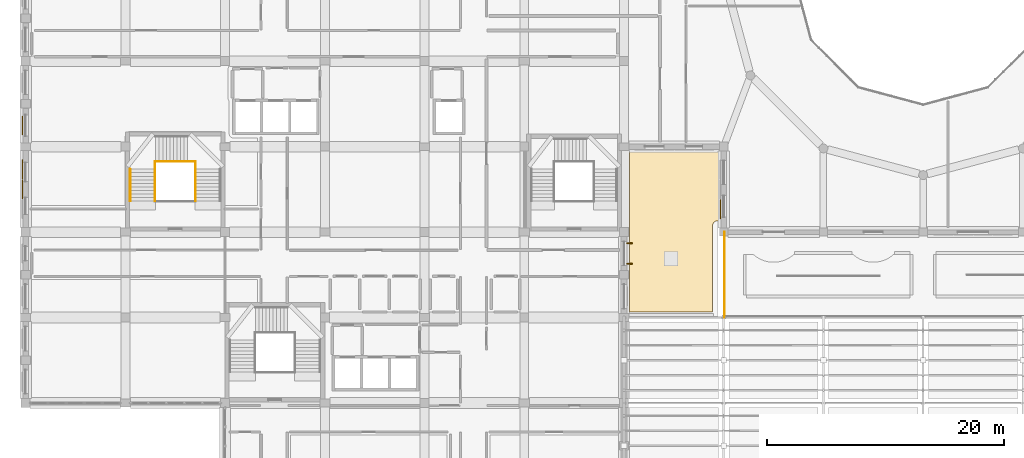
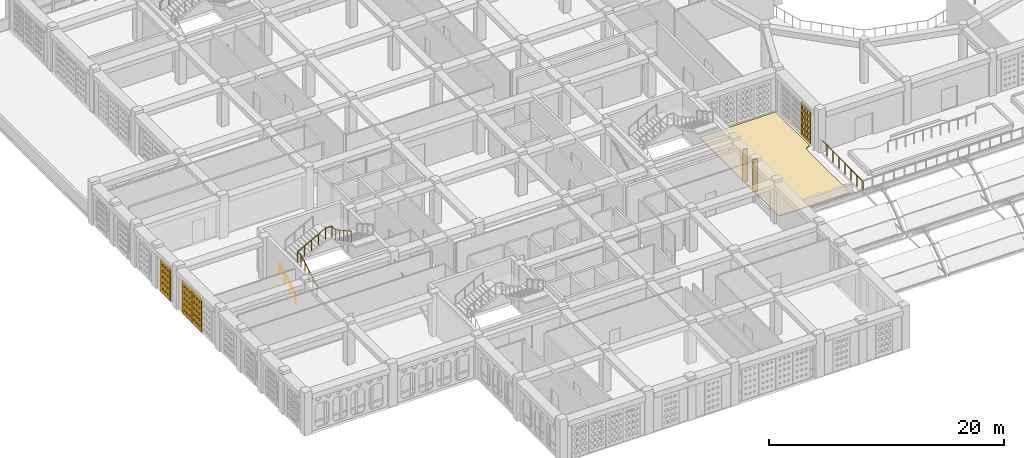
# One storey, part 72 of 100: 5 coverings, 5 railings, 2 shading devices.
"""IFC4 building model written with IfcOpenShell, lengths in metres."""

from ifc_helpers import new_model, si_unit, derived_unit, direction, frame, origin, origin_2d, place, context, subcontext, project, spatial, polyline, rectangle, circle, outline, extrude, material, layer, layer_set, type_object, element, save


model = new_model("IFC4")

# Units and contexts
model_context = context("Model", 3, precision=1e-05, world=origin(), true_north=direction((0.0, 1.0)))
body_context = subcontext(model_context, "Body", "Model", "MODEL_VIEW")
ifc_project = project(units=[si_unit("LENGTHUNIT", "METRE"), si_unit("AREAUNIT", "SQUARE_METRE"), si_unit("VOLUMEUNIT", "CUBIC_METRE"), si_unit("PLANEANGLEUNIT", "RADIAN"), si_unit("MASSUNIT", "GRAM", prefix="KILO"), derived_unit("THERMALTRANSMITTANCEUNIT", [(si_unit("POWERUNIT", "WATT"), 1), (si_unit("LENGTHUNIT", "METRE"), -2), (si_unit("THERMODYNAMICTEMPERATUREUNIT", "KELVIN"), -1)])], contexts=[model_context])

# Site, building, storey
site_placement = place(None, origin())
site = spatial("IfcSite", under=ifc_project, at=site_placement, CompositionType="ELEMENT")
building_placement = place(site_placement, origin())
building = spatial("IfcBuilding", under=site, at=building_placement, Name="Veybourne Emporium", CompositionType="ELEMENT")
storey_placement = place(building_placement, frame((0.0, 0.0, 14.39990234375)))
storey = spatial("IfcBuildingStorey", under=building, at=storey_placement, Name="L03", CompositionType="ELEMENT", Elevation=14.39990234375)

# Railings
ifc_material_1 = material(Name="Brushed Stainless Steel", Category="steel")
railing_type_1 = type_object("IfcRailingType", Name="Guard_GR-01", PredefinedType="GUARDRAIL", material=ifc_material_1)
railing_1_placement = place(storey_placement, frame((10.909912109375, 31.39990234375, 0.0)))
element("IfcRailing", 1, at=railing_1_placement, inside=storey, type_object=railing_type_1, Name="L03 ST-02 stair guard 1", PredefinedType="GUARDRAIL", context=body_context, shape_type="SweptSolid", body=[
    extrude(circle(Radius=0.02392578125, at=origin_2d()), frame((0.0, 0.0, 1.1259765625), z_axis=(0.0, 0.874172188743, 0.48561608749), x_axis=(-1.0, 0.0, 0.0)), (0.0, 0.0, 1.0), 3.0888671875),
    extrude(circle(Radius=0.02392578125, at=origin_2d()), frame((0.0, 2.7001953125, 2.6259765625), z_axis=(0.0, 1.0, 0.0), x_axis=(-1.0, 0.0, 0.0)), (0.0, 0.0, 1.0), 0.639892578125),
    extrude(circle(Radius=0.02099609375, at=origin_2d()), origin(), (0.0, 0.0, 1.0), 1.101806640625),
    extrude(circle(Radius=0.02099609375, at=origin_2d()), frame((0.0, 0.675048828125, 0.375)), (0.0, 0.0, 1.0), 1.101806640625),
    extrude(circle(Radius=0.02099609375, at=origin_2d()), frame((0.0, 1.35009765625, 0.75)), (0.0, 0.0, 1.0), 1.101806640625),
    extrude(circle(Radius=0.02099609375, at=origin_2d()), frame((0.0, 2.025146484375, 1.125)), (0.0, 0.0, 1.0), 1.101806640625),
    extrude(circle(Radius=0.02099609375, at=origin_2d()), frame((0.0, 2.7001953125, 1.5)), (0.0, 0.0, 1.0), 1.101806640625),
    extrude(circle(Radius=0.02099609375, at=origin_2d()), frame((0.0, 3.340087890625, 1.5)), (0.0, 0.0, 1.0), 1.101806640625),
])
railing_2_placement = place(storey_placement, frame((10.909912109375, 34.739990234375, 1.5)))
element("IfcRailing", 2, at=railing_2_placement, inside=storey, type_object=railing_type_1, Name="L03 ST-02 stair guard 2", PredefinedType="GUARDRAIL", context=body_context, shape_type="SweptSolid", body=[
    extrude(circle(Radius=0.02392578125, at=origin_2d()), frame((0.0, 0.0, 1.1259765625), z_axis=(0.87715976088, 0.0, 0.480198660861), x_axis=(0.0, 1.0, 0.0)), (0.0, 0.0, 1.0), 3.123779296875),
    extrude(circle(Radius=0.02392578125, at=origin_2d()), frame((2.739990234375, 0.0, 2.6259765625), z_axis=(1.0, 0.0, 0.0), x_axis=(0.0, 1.0, 0.0)), (0.0, 0.0, 1.0), 0.64013671875),
    extrude(circle(Radius=0.02099609375, at=origin_2d()), origin(), (0.0, 0.0, 1.0), 1.101806640625),
    extrude(circle(Radius=0.02099609375, at=origin_2d()), frame((0.68505859375, 0.0, 0.375)), (0.0, 0.0, 1.0), 1.101806640625),
    extrude(circle(Radius=0.02099609375, at=origin_2d()), frame((1.3701171875, 0.0, 0.75)), (0.0, 0.0, 1.0), 1.101806640625),
    extrude(circle(Radius=0.02099609375, at=origin_2d()), frame((2.054931640625, 0.0, 1.125)), (0.0, 0.0, 1.0), 1.101806640625),
    extrude(circle(Radius=0.02099609375, at=origin_2d()), frame((2.739990234375, 0.0, 1.5)), (0.0, 0.0, 1.0), 1.101806640625),
    extrude(circle(Radius=0.02099609375, at=origin_2d()), frame((3.380126953125, 0.0, 1.5)), (0.0, 0.0, 1.0), 1.101806640625),
])
railing_3_placement = place(storey_placement, frame((14.2900390625, 34.739990234375, 3.0)))
element("IfcRailing", 3, at=railing_3_placement, inside=storey, type_object=railing_type_1, Name="L03 ST-02 stair guard 3", PredefinedType="GUARDRAIL", context=body_context, shape_type="SweptSolid", body=[
    extrude(circle(Radius=0.02392578125, at=origin_2d()), frame((0.0, 0.0, 1.1259765625), z_axis=(0.0, -1.0, 0.0), x_axis=(1.0, 0.0, 0.0)), (0.0, 0.0, 1.0), 0.639892578125),
    extrude(circle(Radius=0.02392578125, at=origin_2d()), frame((0.0, -0.639892578125, 1.1259765625), z_axis=(0.0, -0.874172188743, 0.48561608749), x_axis=(1.0, 0.0, 0.0)), (0.0, 0.0, 1.0), 3.0888671875),
    extrude(circle(Radius=0.02099609375, at=origin_2d()), origin(), (0.0, 0.0, 1.0), 1.101806640625),
    extrude(circle(Radius=0.02099609375, at=origin_2d()), frame((0.0, -0.639892578125, 0.0)), (0.0, 0.0, 1.0), 1.101806640625),
    extrude(circle(Radius=0.02099609375, at=origin_2d()), frame((0.0, -1.31494140625, 0.375)), (0.0, 0.0, 1.0), 1.101806640625),
    extrude(circle(Radius=0.02099609375, at=origin_2d()), frame((0.0, -1.989990234375, 0.75)), (0.0, 0.0, 1.0), 1.101806640625),
    extrude(circle(Radius=0.02099609375, at=origin_2d()), frame((0.0, -2.6650390625, 1.125)), (0.0, 0.0, 1.0), 1.101806640625),
    extrude(circle(Radius=0.02099609375, at=origin_2d()), frame((0.0, -3.340087890625, 1.5)), (0.0, 0.0, 1.0), 1.101806640625),
])
ifc_material_2 = material(Name="Patinated Architectural Bronze", Category="bronze")
railing_type_2 = type_object("IfcRailingType", Name="Guard_GR-02", PredefinedType="GUARDRAIL", material=ifc_material_2)
railing_4_placement = place(storey_placement, frame((58.8798828125, 21.60009765625, 0.0)))
element("IfcRailing", 4, at=railing_4_placement, inside=storey, type_object=railing_type_2, Name="L03 terrace perimeter guardrail 002", PredefinedType="GUARDRAIL", context=body_context, shape_type="SweptSolid", body=[
    extrude(circle(Radius=0.02392578125, at=origin_2d()), frame((0.0, 0.0, 1.1259765625), z_axis=(0.0, 1.0, 0.0), x_axis=(-1.0, 0.0, 0.0)), (0.0, 0.0, 1.0), 7.199951171875),
    extrude(circle(Radius=0.02099609375, at=origin_2d()), origin(), (0.0, 0.0, 1.0), 1.101806640625),
    extrude(circle(Radius=0.02099609375, at=origin_2d()), frame((0.0, 1.028564453125, 0.0)), (0.0, 0.0, 1.0), 1.101806640625),
    extrude(circle(Radius=0.02099609375, at=origin_2d()), frame((0.0, 2.05712890625, 0.0)), (0.0, 0.0, 1.0), 1.101806640625),
    extrude(circle(Radius=0.02099609375, at=origin_2d()), frame((0.0, 3.085693359375, 0.0)), (0.0, 0.0, 1.0), 1.101806640625),
    extrude(circle(Radius=0.02099609375, at=origin_2d()), frame((0.0, 4.1142578125, 0.0)), (0.0, 0.0, 1.0), 1.101806640625),
    extrude(circle(Radius=0.02099609375, at=origin_2d()), frame((0.0, 5.142822265625, 0.0)), (0.0, 0.0, 1.0), 1.101806640625),
    extrude(circle(Radius=0.02099609375, at=origin_2d()), frame((0.0, 6.17138671875, 0.0)), (0.0, 0.0, 1.0), 1.101806640625),
    extrude(circle(Radius=0.02099609375, at=origin_2d()), frame((0.0, 7.199951171875, 0.0)), (0.0, 0.0, 1.0), 1.101806640625),
])
railing_type_3 = type_object("IfcRailingType", Name="Handrail_HR-01", PredefinedType="HANDRAIL", material=ifc_material_1)
railing_5_placement = place(storey_placement, frame((8.81005859375, 31.39990234375, 0.150146484375)))
element("IfcRailing", 5, at=railing_5_placement, inside=storey, type_object=railing_type_3, Name="L03 ST-02 pitch handrail 1", PredefinedType="HANDRAIL", context=body_context, shape_type="SweptSolid", body=[
    extrude(circle(Radius=0.02392578125, at=origin_2d()), frame((0.0, 0.0, 0.92578125), z_axis=(0.0, 0.874172188743, 0.48561608749), x_axis=(-1.0, 0.0, 0.0)), (0.0, 0.0, 1.0), 3.0888671875),
    extrude(circle(Radius=0.02099609375, at=origin_2d()), frame((0.0, 0.0, -0.14990234375)), (0.0, 0.0, 1.0), 1.0517578125),
    extrude(circle(Radius=0.02099609375, at=origin_2d()), frame((0.0, 0.900146484375, 0.35009765625)), (0.0, 0.0, 1.0), 1.0517578125),
    extrude(circle(Radius=0.02099609375, at=origin_2d()), frame((0.0, 1.800048828125, 0.85009765625)), (0.0, 0.0, 1.0), 1.0517578125),
    extrude(circle(Radius=0.02099609375, at=origin_2d()), frame((0.0, 2.7001953125, 1.35009765625)), (0.0, 0.0, 1.0), 1.0517578125),
])

# Covering
ifc_material_3 = material(Name="Single-Ply Warm Roof Membrane", Category="membrane")
ifc_layer_1 = layer(ifc_material_3, 0.06005859375)
ifc_layer_set_1 = layer_set([ifc_layer_1], Name="Single-Ply Warm Roof Membrane")
covering_type_1 = type_object("IfcCoveringType", Name="Roofing_RFG-01", PredefinedType="ROOFING", material=ifc_layer_set_1)
covering_1_placement = place(storey_placement, origin())
element("IfcCovering", 6, at=covering_1_placement, inside=storey, type_object=covering_type_1, Name="L03 warm-roof waterproofing membrane 1.1", PredefinedType="ROOFING", context=body_context, shape_type="SweptSolid", body=[
    extrude(outline(polyline([(58.35009765625, 29.75), (58.300048828125, 29.75), (58.255859375, 29.747802734375), (58.212158203125, 29.741455078125), (58.16943359375, 29.730712890625), (58.127685546875, 29.7158203125), (58.087890625, 29.69677734375), (58.050048828125, 29.674072265625), (58.014404296875, 29.64794921875), (57.981689453125, 29.6181640625), (57.9521484375, 29.58544921875), (57.92578125, 29.550048828125), (57.903076171875, 29.51220703125), (57.88427734375, 29.47216796875), (57.869384765625, 29.4306640625), (57.858642578125, 29.3876953125), (57.85205078125, 29.343994140625), (57.85009765625, 29.300048828125), (57.85009765625, 22.050048828125), (50.85009765625, 22.050048828125), (50.85009765625, 35.550048828125), (58.35009765625, 35.550048828125), (58.35009765625, 29.75)])), origin(), (0.0, 0.0, 1.0), 0.06005859375),
])

# Shading devices
shading_device_type = type_object("IfcShadingDeviceType", Name="SolarFin_FIN-02", PredefinedType="USERDEFINED", material=ifc_material_2)
for number, where, z_axis, x_axis, name in (
    (7, (50.864013671875, 27.85400390625, 0.125244140625), (0.0, 0.0, 1.0), (0.0, -1.0, 0.0), "L03 bronze brise-soleil fin FIN-02 (29A.1)"),
    (8, (50.864013671875, 26.14111328125, 0.125244140625), (0.0, 0.0, 1.0), (0.0, -1.0, 0.0), "L03 bronze brise-soleil fin FIN-02 (29A.2)"),
):
    element("IfcShadingDevice", number, at=place(storey_placement, frame(where, z_axis=z_axis, x_axis=x_axis)), inside=storey, type_object=shading_device_type, Name=name, ObjectType="FIN", PredefinedType="USERDEFINED", context=body_context, shape_type="SweptSolid", body=[
        extrude(rectangle(XDim=0.074951171875, YDim=0.449951171875, at=origin_2d()), origin(), (0.0, 0.0, 1.0), 3.3798828125),
    ])

# Coverings
ifc_material_4 = material(Name="Warm-White Perforated Aluminium Screen Alloy", Category="aluminium")
ifc_layer_2 = layer(ifc_material_4, 0.06005859375)
ifc_layer_set_2 = layer_set([ifc_layer_2], Name="Warm-White Perforated Aluminium Screen Alloy")
covering_type_2 = type_object("IfcCoveringType", Name="WaveScreen_SCR-02", PredefinedType="CLADDING", material=ifc_layer_set_2)
covering_2_placement = place(storey_placement, frame((-0.298095703125, 32.425048828125, 1.815185546875), z_axis=(1.0, 0.0, 0.0), x_axis=(0.0, 1.0, 0.0)))
element("IfcCovering", 9, at=covering_2_placement, inside=storey, type_object=covering_type_2, Name="L03 wave-perforated aluminium screen SCR-02 (4.2)", PredefinedType="CLADDING", context=body_context, shape_type="SweptSolid", body=[
    extrude(outline(polyline([(-0.81982421875, -1.7548828125), (0.81982421875, -1.7548828125), (0.81982421875, 1.7548828125), (-0.81982421875, 1.7548828125), (-0.81982421875, -1.7548828125)]), holes=[polyline([(-0.433349609375, -1.07373046875), (-0.297119140625, -1.172607421875), (-0.297119140625, -1.283447265625), (-0.433349609375, -1.38232421875), (-0.569580078125, -1.283447265625), (-0.569580078125, -1.172607421875), (-0.433349609375, -1.07373046875)]), polyline([(-0.433349609375, -0.4716796875), (-0.306884765625, -0.562744140625), (-0.306884765625, -0.665283203125), (-0.433349609375, -0.75634765625), (-0.559814453125, -0.665283203125), (-0.559814453125, -0.562744140625), (-0.433349609375, -0.4716796875)]), polyline([(-0.433349609375, 0.1318359375), (-0.3154296875, 0.047607421875), (-0.3154296875, -0.047607421875), (-0.433349609375, -0.1318359375), (-0.55126953125, -0.047607421875), (-0.55126953125, 0.047607421875), (-0.433349609375, 0.1318359375)]), polyline([(-0.433349609375, 0.7373046875), (-0.322509765625, 0.658203125), (-0.322509765625, 0.569580078125), (-0.433349609375, 0.49072265625), (-0.544189453125, 0.569580078125), (-0.544189453125, 0.658203125), (-0.433349609375, 0.7373046875)]), polyline([(-0.433349609375, 1.344482421875), (-0.327880859375, 1.27001953125), (-0.327880859375, 1.18603515625), (-0.433349609375, 1.111328125), (-0.538818359375, 1.18603515625), (-0.538818359375, 1.27001953125), (-0.433349609375, 1.344482421875)]), polyline([(0.0, -1.079345703125), (0.131591796875, -1.174560546875), (0.131591796875, -1.281494140625), (0.0, -1.376708984375), (-0.131591796875, -1.281494140625), (-0.131591796875, -1.174560546875), (0.0, -1.079345703125)]), polyline([(0.0, -0.4765625), (0.122314453125, -0.564453125), (0.122314453125, -0.66357421875), (0.0, -0.75146484375), (-0.122314453125, -0.66357421875), (-0.122314453125, -0.564453125), (0.0, -0.4765625)]), polyline([(0.0, 0.127685546875), (0.114501953125, 0.0458984375), (0.114501953125, -0.0458984375), (0.0, -0.127685546875), (-0.114501953125, -0.0458984375), (-0.114501953125, 0.0458984375), (0.0, 0.127685546875)]), polyline([(0.0, 0.73388671875), (0.108154296875, 0.6572265625), (0.108154296875, 0.57080078125), (0.0, 0.494140625), (-0.108154296875, 0.57080078125), (-0.108154296875, 0.6572265625), (0.0, 0.73388671875)]), polyline([(0.0, 1.34228515625), (0.103515625, 1.26904296875), (0.103515625, 1.18701171875), (0.0, 1.11376953125), (-0.103515625, 1.18701171875), (-0.103515625, 1.26904296875), (0.0, 1.34228515625)]), polyline([(0.433349609375, -1.084716796875), (0.560546875, -1.176513671875), (0.560546875, -1.279541015625), (0.433349609375, -1.371337890625), (0.305908203125, -1.279541015625), (0.305908203125, -1.176513671875), (0.433349609375, -1.084716796875)]), polyline([(0.433349609375, -0.481201171875), (0.552001953125, -0.566162109375), (0.552001953125, -0.661865234375), (0.433349609375, -0.746826171875), (0.314697265625, -0.661865234375), (0.314697265625, -0.566162109375), (0.433349609375, -0.481201171875)]), polyline([(0.433349609375, 0.123779296875), (0.544677734375, 0.044677734375), (0.544677734375, -0.044677734375), (0.433349609375, -0.123779296875), (0.322021484375, -0.044677734375), (0.322021484375, 0.044677734375), (0.433349609375, 0.123779296875)]), polyline([(0.433349609375, 0.731201171875), (0.5390625, 0.656005859375), (0.5390625, 0.572021484375), (0.433349609375, 0.496826171875), (0.327392578125, 0.572021484375), (0.327392578125, 0.656005859375), (0.433349609375, 0.731201171875)]), polyline([(0.433349609375, 1.340576171875), (0.535400390625, 1.2685546875), (0.535400390625, 1.1875), (0.433349609375, 1.115478515625), (0.331298828125, 1.1875), (0.331298828125, 1.2685546875), (0.433349609375, 1.340576171875)])]), origin(), (0.0, 0.0, 1.0), 0.06005859375),
])
covering_3_placement = place(storey_placement, frame((-0.298095703125, 37.777587890625, 1.815185546875), z_axis=(1.0, 0.0, 0.0), x_axis=(0.0, 1.0, 0.0)))
element("IfcCovering", 10, at=covering_3_placement, inside=storey, type_object=covering_type_2, Name="L03 wave-perforated aluminium screen SCR-02 (5A.1)", PredefinedType="CLADDING", context=body_context, shape_type="SweptSolid", body=[
    extrude(outline(polyline([(-0.81982421875, -1.7548828125), (0.81982421875, -1.7548828125), (0.81982421875, 1.7548828125), (-0.81982421875, 1.7548828125), (-0.81982421875, -1.7548828125)]), holes=[polyline([(-0.433349609375, -1.117431640625), (-0.332763671875, -1.188232421875), (-0.332763671875, -1.267822265625), (-0.433349609375, -1.338623046875), (-0.533935546875, -1.267822265625), (-0.533935546875, -1.188232421875), (-0.433349609375, -1.117431640625)]), polyline([(-0.433349609375, -0.50390625), (-0.333251953125, -0.574462890625), (-0.333251953125, -0.653564453125), (-0.433349609375, -0.72412109375), (-0.533447265625, -0.653564453125), (-0.533447265625, -0.574462890625), (-0.433349609375, -0.50390625)]), polyline([(-0.433349609375, 0.112060546875), (-0.331787109375, 0.040283203125), (-0.331787109375, -0.040283203125), (-0.433349609375, -0.112060546875), (-0.534912109375, -0.040283203125), (-0.534912109375, 0.040283203125), (-0.433349609375, 0.112060546875)]), polyline([(-0.433349609375, 0.730224609375), (-0.328369140625, 0.65576171875), (-0.328369140625, 0.572265625), (-0.433349609375, 0.497802734375), (-0.538330078125, 0.572265625), (-0.538330078125, 0.65576171875), (-0.433349609375, 0.730224609375)]), polyline([(-0.433349609375, 1.3505859375), (-0.322998046875, 1.272216796875), (-0.322998046875, 1.183837890625), (-0.433349609375, 1.105224609375), (-0.543701171875, 1.183837890625), (-0.543701171875, 1.272216796875), (-0.433349609375, 1.3505859375)]), polyline([(0.0, -1.117919921875), (0.10009765625, -1.1884765625), (0.10009765625, -1.267578125), (0.0, -1.338134765625), (-0.10009765625, -1.267578125), (-0.10009765625, -1.1884765625), (0.0, -1.117919921875)]), polyline([(0.0, -0.50341796875), (0.1005859375, -0.57421875), (0.1005859375, -0.65380859375), (0.0, -0.724609375), (-0.1005859375, -0.65380859375), (-0.1005859375, -0.57421875), (0.0, -0.50341796875)]), polyline([(0.0, 0.113525390625), (0.102783203125, 0.041015625), (0.102783203125, -0.041015625), (0.0, -0.113525390625), (-0.102783203125, -0.041015625), (-0.102783203125, 0.041015625), (0.0, 0.113525390625)]), polyline([(0.0, 0.73291015625), (0.107421875, 0.65673828125), (0.107421875, 0.5712890625), (0.0, 0.4951171875), (-0.107421875, 0.5712890625), (-0.107421875, 0.65673828125), (0.0, 0.73291015625)]), polyline([(0.0, 1.354248046875), (0.11328125, 1.2734375), (0.11328125, 1.1826171875), (0.0, 1.101806640625), (-0.11328125, 1.1826171875), (-0.11328125, 1.2734375), (0.0, 1.354248046875)]), polyline([(0.433349609375, -1.117919921875), (0.533447265625, -1.1884765625), (0.533447265625, -1.267578125), (0.433349609375, -1.337890625), (0.333251953125, -1.267578125), (0.333251953125, -1.1884765625), (0.433349609375, -1.117919921875)]), polyline([(0.433349609375, -0.502197265625), (0.53466796875, -0.57373046875), (0.53466796875, -0.654296875), (0.433349609375, -0.7255859375), (0.33203125, -0.654296875), (0.33203125, -0.57373046875), (0.433349609375, -0.502197265625)]), polyline([(0.433349609375, 0.11572265625), (0.5380859375, 0.041748046875), (0.5380859375, -0.041748046875), (0.433349609375, -0.11572265625), (0.32861328125, -0.041748046875), (0.32861328125, 0.041748046875), (0.433349609375, 0.11572265625)]), polyline([(0.433349609375, 0.736083984375), (0.543212890625, 0.657958984375), (0.543212890625, 0.570068359375), (0.433349609375, 0.491943359375), (0.323486328125, 0.570068359375), (0.323486328125, 0.657958984375), (0.433349609375, 0.736083984375)]), polyline([(0.433349609375, 1.3583984375), (0.550048828125, 1.27490234375), (0.550048828125, 1.18115234375), (0.433349609375, 1.09765625), (0.316650390625, 1.18115234375), (0.316650390625, 1.27490234375), (0.433349609375, 1.3583984375)])]), origin(), (0.0, 0.0, 1.0), 0.06005859375),
])
ifc_layer_3 = layer(ifc_material_4, 0.06005859375)
ifc_layer_set_3 = layer_set([ifc_layer_3], Name="Warm-White Perforated Aluminium Screen Alloy")
covering_type_3 = type_object("IfcCoveringType", Name="WaveScreen_SCR-03", PredefinedType="CLADDING", material=ifc_layer_set_3)
covering_4_placement = place(storey_placement, frame((-0.298095703125, 34.10498046875, 1.815185546875), z_axis=(1.0, 0.0, 0.0), x_axis=(0.0, 1.0, 0.0)))
element("IfcCovering", 11, at=covering_4_placement, inside=storey, type_object=covering_type_3, Name="L03 wave-perforated aluminium screen SCR-03 (4.3)", PredefinedType="CLADDING", context=body_context, shape_type="SweptSolid", body=[
    extrude(outline(polyline([(-0.81982421875, -1.7548828125), (0.81982421875, -1.7548828125), (0.81982421875, 1.7548828125), (-0.81982421875, 1.7548828125), (-0.81982421875, -1.7548828125)]), holes=[polyline([(-0.433349609375, -1.09375), (-0.3134765625, -1.1796875), (-0.3134765625, -1.2763671875), (-0.433349609375, -1.3623046875), (-0.55322265625, -1.2763671875), (-0.55322265625, -1.1796875), (-0.433349609375, -1.09375)]), polyline([(-0.433349609375, -0.489013671875), (-0.321044921875, -0.569091796875), (-0.321044921875, -0.658935546875), (-0.433349609375, -0.739013671875), (-0.545654296875, -0.658935546875), (-0.545654296875, -0.569091796875), (-0.433349609375, -0.489013671875)]), polyline([(-0.433349609375, 0.117919921875), (-0.326904296875, 0.04248046875), (-0.326904296875, -0.04248046875), (-0.433349609375, -0.117919921875), (-0.539794921875, -0.04248046875), (-0.539794921875, 0.04248046875), (-0.433349609375, 0.117919921875)]), polyline([(-0.433349609375, 0.72705078125), (-0.330810546875, 0.65478515625), (-0.330810546875, 0.5732421875), (-0.433349609375, 0.5009765625), (-0.535888671875, 0.5732421875), (-0.535888671875, 0.65478515625), (-0.433349609375, 0.72705078125)]), polyline([(-0.433349609375, 1.33837890625), (-0.3330078125, 1.267578125), (-0.3330078125, 1.188232421875), (-0.433349609375, 1.11767578125), (-0.53369140625, 1.188232421875), (-0.53369140625, 1.267578125), (-0.433349609375, 1.33837890625)]), polyline([(0.0, -1.09814453125), (0.1162109375, -1.181396484375), (0.1162109375, -1.274658203125), (0.0, -1.35791015625), (-0.1162109375, -1.274658203125), (-0.1162109375, -1.181396484375), (0.0, -1.09814453125)]), polyline([(0.0, -0.492431640625), (0.109619140625, -0.5703125), (0.109619140625, -0.65771484375), (0.0, -0.735595703125), (-0.109619140625, -0.65771484375), (-0.109619140625, -0.5703125), (0.0, -0.492431640625)]), polyline([(0.0, 0.115478515625), (0.1044921875, 0.04150390625), (0.1044921875, -0.04150390625), (0.0, -0.115478515625), (-0.1044921875, -0.04150390625), (-0.1044921875, 0.04150390625), (0.0, 0.115478515625)]), polyline([(0.0, 0.7255859375), (0.101318359375, 0.654296875), (0.101318359375, 0.57373046875), (0.0, 0.50244140625), (-0.101318359375, 0.57373046875), (-0.101318359375, 0.654296875), (0.0, 0.7255859375)]), polyline([(0.0, 1.337890625), (0.10009765625, 1.267578125), (0.10009765625, 1.1884765625), (0.0, 1.117919921875), (-0.10009765625, 1.1884765625), (-0.10009765625, 1.267578125), (0.0, 1.337890625)]), polyline([(0.433349609375, -1.10205078125), (0.54638671875, -1.1826171875), (0.54638671875, -1.273193359375), (0.433349609375, -1.35400390625), (0.3203125, -1.273193359375), (0.3203125, -1.1826171875), (0.433349609375, -1.10205078125)]), polyline([(0.433349609375, -0.49560546875), (0.540283203125, -0.5712890625), (0.540283203125, -0.65673828125), (0.433349609375, -0.732421875), (0.326416015625, -0.65673828125), (0.326416015625, -0.5712890625), (0.433349609375, -0.49560546875)]), polyline([(0.433349609375, 0.11328125), (0.5361328125, 0.040771484375), (0.5361328125, -0.040771484375), (0.433349609375, -0.11328125), (0.33056640625, -0.040771484375), (0.33056640625, 0.040771484375), (0.433349609375, 0.11328125)]), polyline([(0.433349609375, 0.724609375), (0.53369140625, 0.65380859375), (0.53369140625, 0.57421875), (0.433349609375, 0.50341796875), (0.3330078125, 0.57421875), (0.3330078125, 0.65380859375), (0.433349609375, 0.724609375)]), polyline([(0.433349609375, 1.338134765625), (0.533447265625, 1.267578125), (0.533447265625, 1.1884765625), (0.433349609375, 1.117919921875), (0.333251953125, 1.1884765625), (0.333251953125, 1.267578125), (0.433349609375, 1.338134765625)])]), origin(), (0.0, 0.0, 1.0), 0.06005859375),
])
ifc_layer_4 = layer(ifc_material_4, 0.06005859375)
ifc_layer_set_4 = layer_set([ifc_layer_4], Name="Warm-White Perforated Aluminium Screen Alloy")
covering_type_4 = type_object("IfcCoveringType", Name="WaveScreen_SCR-04", PredefinedType="CLADDING", material=ifc_layer_set_4)
covering_5_placement = place(storey_placement, frame((58.501953125, 30.70751953125, 1.815185546875), z_axis=(1.0, 0.0, 0.0), x_axis=(0.0, 1.0, 0.0)))
element("IfcCovering", 12, at=covering_5_placement, inside=storey, type_object=covering_type_4, Name="L03 wave-perforated aluminium screen SCR-04 (35.1)", PredefinedType="CLADDING", context=body_context, shape_type="SweptSolid", body=[
    extrude(outline(polyline([(-0.81982421875, -1.7548828125), (0.81982421875, -1.7548828125), (0.81982421875, 1.7548828125), (-0.81982421875, 1.7548828125), (-0.81982421875, -1.7548828125)]), holes=[polyline([(-0.433349609375, -0.964111328125), (-0.2470703125, -1.133056640625), (-0.2470703125, -1.322998046875), (-0.433349609375, -1.491943359375), (-0.61962890625, -1.322998046875), (-0.61962890625, -1.133056640625), (-0.433349609375, -0.964111328125)]), polyline([(-0.433349609375, -0.35009765625), (-0.2470703125, -0.51904296875), (-0.2470703125, -0.708984375), (-0.433349609375, -0.8779296875), (-0.61962890625, -0.708984375), (-0.61962890625, -0.51904296875), (-0.433349609375, -0.35009765625)]), polyline([(-0.433349609375, 0.263916015625), (-0.2470703125, 0.094970703125), (-0.2470703125, -0.094970703125), (-0.433349609375, -0.263916015625), (-0.61962890625, -0.094970703125), (-0.61962890625, 0.094970703125), (-0.433349609375, 0.263916015625)]), polyline([(-0.433349609375, 0.8779296875), (-0.2470703125, 0.708984375), (-0.2470703125, 0.51904296875), (-0.433349609375, 0.35009765625), (-0.61962890625, 0.51904296875), (-0.61962890625, 0.708984375), (-0.433349609375, 0.8779296875)]), polyline([(-0.433349609375, 1.491943359375), (-0.2470703125, 1.322998046875), (-0.2470703125, 1.133056640625), (-0.433349609375, 0.964111328125), (-0.61962890625, 1.133056640625), (-0.61962890625, 1.322998046875), (-0.433349609375, 1.491943359375)]), polyline([(0.0, -0.964111328125), (0.186279296875, -1.133056640625), (0.186279296875, -1.322998046875), (0.0, -1.491943359375), (-0.186279296875, -1.322998046875), (-0.186279296875, -1.133056640625), (0.0, -0.964111328125)]), polyline([(0.0, -0.35009765625), (0.186279296875, -0.51904296875), (0.186279296875, -0.708984375), (0.0, -0.8779296875), (-0.186279296875, -0.708984375), (-0.186279296875, -0.51904296875), (0.0, -0.35009765625)]), polyline([(0.0, 0.263916015625), (0.186279296875, 0.094970703125), (0.186279296875, -0.094970703125), (0.0, -0.263916015625), (-0.186279296875, -0.094970703125), (-0.186279296875, 0.094970703125), (0.0, 0.263916015625)]), polyline([(0.0, 0.8779296875), (0.186279296875, 0.708984375), (0.186279296875, 0.51904296875), (0.0, 0.35009765625), (-0.186279296875, 0.51904296875), (-0.186279296875, 0.708984375), (0.0, 0.8779296875)]), polyline([(0.0, 1.49169921875), (0.186279296875, 1.322998046875), (0.186279296875, 1.133056640625), (0.0, 0.964111328125), (-0.186279296875, 1.133056640625), (-0.186279296875, 1.322998046875), (0.0, 1.49169921875)]), polyline([(0.433349609375, -0.964111328125), (0.61962890625, -1.133056640625), (0.61962890625, -1.322998046875), (0.433349609375, -1.491943359375), (0.2470703125, -1.322998046875), (0.2470703125, -1.133056640625), (0.433349609375, -0.964111328125)]), polyline([(0.433349609375, -0.35009765625), (0.61962890625, -0.51904296875), (0.61962890625, -0.708984375), (0.433349609375, -0.8779296875), (0.2470703125, -0.708984375), (0.2470703125, -0.51904296875), (0.433349609375, -0.35009765625)]), polyline([(0.433349609375, 0.263916015625), (0.61962890625, 0.094970703125), (0.61962890625, -0.094970703125), (0.433349609375, -0.263916015625), (0.2470703125, -0.094970703125), (0.2470703125, 0.094970703125), (0.433349609375, 0.263916015625)]), polyline([(0.433349609375, 0.8779296875), (0.61962890625, 0.708984375), (0.61962890625, 0.51904296875), (0.433349609375, 0.35009765625), (0.2470703125, 0.51904296875), (0.2470703125, 0.708984375), (0.433349609375, 0.8779296875)]), polyline([(0.433349609375, 1.48828125), (0.61962890625, 1.32177734375), (0.61962890625, 1.13427734375), (0.433349609375, 0.967529296875), (0.2470703125, 1.13427734375), (0.2470703125, 1.32177734375), (0.433349609375, 1.48828125)])]), origin(), (0.0, 0.0, 1.0), 0.06005859375),
])

save(model, "model.ifc")
